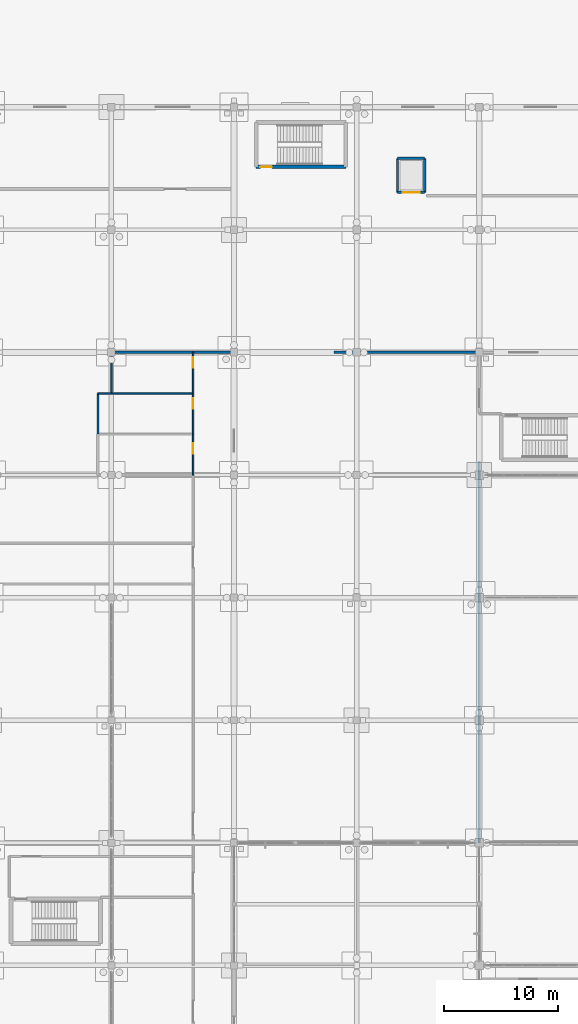
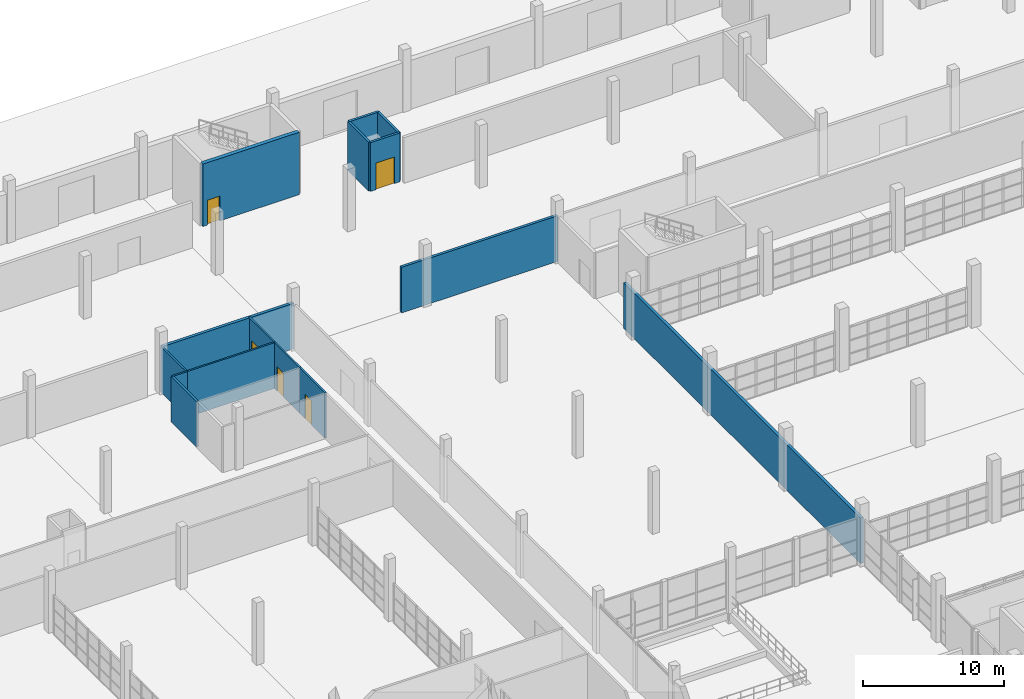
# One storey, part 104 of 138: 16 walls, 5 doors, 5 openings.
"""IFC4 building model written with IfcOpenShell, lengths in metres."""

from ifc_helpers import new_model, si_unit, direction, frame, frame_2d, origin, place, context, subcontext, project, spatial, rectangle, extrude, material, layer, layer_set, type_object, element, fill, save


model = new_model("IFC4")

# Units and contexts
model_context = context("Model", 3, precision=1e-05, world=origin(), true_north=direction((0.0, 1.0)))
body_context = subcontext(model_context, "Body", "Model", "MODEL_VIEW")
ifc_project = project(units=[si_unit("LENGTHUNIT", "METRE"), si_unit("AREAUNIT", "SQUARE_METRE"), si_unit("VOLUMEUNIT", "CUBIC_METRE"), si_unit("PLANEANGLEUNIT", "RADIAN"), si_unit("MASSUNIT", "GRAM", prefix="KILO")], contexts=[model_context])

# Site, building, storey
site_placement = place(None, origin())
site = spatial("IfcSite", under=ifc_project, at=site_placement, CompositionType="ELEMENT")
building_placement = place(site_placement, origin())
building = spatial("IfcBuilding", under=site, at=building_placement, Name="Zwinboog Wholesale Market", CompositionType="ELEMENT")
storey_placement = place(building_placement, origin())
storey = spatial("IfcBuildingStorey", under=building, at=storey_placement, Name="L00", CompositionType="ELEMENT", Elevation=0.0)

# Wall, opening, door
ifc_material_1 = material(Name="Concrete C40/50", Category="concrete")
ifc_layer_1 = layer(ifc_material_1, 0.320068359375)
ifc_layer_set_1 = layer_set([ifc_layer_1], Name="Concrete C40/50")
wall_type_1 = type_object("IfcWallType", Name="WT-SW-320", PredefinedType="SHEAR", material=ifc_layer_set_1)
wall_1_placement = place(storey_placement, frame((45.14990234375, 124.35009765625, 0.0), z_axis=(0.0, 0.0, 1.0), x_axis=(1.0, 0.0, 0.0)))
wall_1 = element("IfcWall", 1, at=wall_1_placement, inside=storey, type_object=wall_type_1, Name="SW-03 (WL-SW-L00-017)", PredefinedType="SHEAR", context=body_context, shape_type="SweptSolid", body=[
    extrude(rectangle(XDim=7.900146484375, YDim=0.320068359375, at=frame_2d((3.9501953125, 0.0))), origin(), (0.0, 0.0, 1.0), 5.39990234375),
])
opening_1_placement = place(wall_1_placement, frame((0.3798828125, 0.0, 0.0)))
opening_1 = element("IfcOpeningElement", 2, at=opening_1_placement, cuts=wall_1, Name="Opening FD-0005", PredefinedType="OPENING", context=body_context, shape_type="SweptSolid", body=[
    extrude(rectangle(XDim=1.0, YDim=2.14990234375, at=frame_2d((0.5, 1.074951171875))), frame((0.0, 0.169921875, 0.0), z_axis=(0.0, -1.0, 0.0), x_axis=(1.0, 0.0, 0.0)), (0.0, 0.0, 1.0), 0.340087890625),
])
ifc_material_2 = material(Name="Timber and powder-coated steel door leaf", Category="steel")
door_type_1 = type_object("IfcDoorType", Name="IDT-FD-01", OperationType="NOTDEFINED", PredefinedType="DOOR", material=ifc_material_2)
door_1_placement = place(opening_1_placement, origin())
door_1 = element("IfcDoor", 3, at=door_1_placement, inside=storey, type_object=door_type_1, Name="Core Fire Door FD-0005", OperationType="SINGLE_SWING_RIGHT", OverallHeight=2.14990234375, OverallWidth=1.0, PredefinedType="DOOR", context=body_context, shape_type="SweptSolid", body=[
    extrude(rectangle(XDim=1.0, YDim=2.14990234375, at=frame_2d((0.5, 1.074951171875))), frame((0.0, 0.02490234375, 0.0), z_axis=(0.0, -1.0, 0.0), x_axis=(1.0, 0.0, 0.0)), (0.0, 0.0, 1.0), 0.050048828125),
])
fill(opening_1, door_1)

# Wall
ifc_material_3 = material(Name="Precast concrete C45/55", Category="concrete")
ifc_layer_2 = layer(ifc_material_3, 0.179931640625)
ifc_layer_set_2 = layer_set([ifc_layer_2], Name="Precast concrete C45/55")
wall_type_2 = type_object("IfcWallType", Name="WT-IW-180", PredefinedType="PARTITIONING", material=ifc_layer_set_2)
wall_2_placement = place(storey_placement, frame((31.199951171875, 100.800048828125, 0.0), z_axis=(0.0, 0.0, 1.0), x_axis=(0.0, 1.0, 0.0)))
element("IfcWall", 4, at=wall_2_placement, inside=storey, type_object=wall_type_2, Name="IW-01 (WL-IN-L00-0052)", PredefinedType="PARTITIONING", context=body_context, shape_type="SweptSolid", body=[
    extrude(rectangle(XDim=3.599853515625, YDim=0.179931640625, at=frame_2d((1.7998046875, 0.0))), origin(), (0.0, 0.0, 1.0), 3.949951171875),
])

# Wall, opening, door
ifc_layer_3 = layer(ifc_material_3, 0.199951171875)
ifc_layer_set_3 = layer_set([ifc_layer_3], Name="Precast concrete C45/55")
wall_type_3 = type_object("IfcWallType", Name="WT-IW-200", PredefinedType="SOLIDWALL", material=ifc_layer_set_3)
wall_3_placement = place(storey_placement, frame((57.60009765625, 122.10009765625, 0.0), z_axis=(0.0, 0.0, 1.0), x_axis=(1.0, 0.0, 0.0)))
wall_3 = element("IfcWall", 5, at=wall_3_placement, inside=storey, type_object=wall_type_3, Name="IW-60 (WL-LSH-L00-229)", PredefinedType="SOLIDWALL", context=body_context, shape_type="SweptSolid", body=[
    extrude(rectangle(XDim=2.39990234375, YDim=0.199951171875, at=frame_2d((1.199951171875, 0.0))), origin(), (0.0, 0.0, 1.0), 4.219970703125),
])
opening_2_placement = place(wall_3_placement, frame((0.449951171875, 0.0, 0.0)))
opening_2 = element("IfcOpeningElement", 6, at=opening_2_placement, cuts=wall_3, Name="Opening LD-016", PredefinedType="OPENING", context=body_context, shape_type="SweptSolid", body=[
    extrude(rectangle(XDim=1.5, YDim=2.300048828125, at=frame_2d((0.75, 1.14990234375))), frame((0.0, 0.10986328125, 0.0), z_axis=(0.0, -1.0, 0.0), x_axis=(1.0, 0.0, 0.0)), (0.0, 0.0, 1.0), 0.219970703125),
])
door_type_2 = type_object("IfcDoorType", Name="IDT-LD-150", OperationType="DOUBLE_DOOR_SLIDING", PredefinedType="DOOR", material=ifc_material_2)
door_2_placement = place(opening_2_placement, origin())
door_2 = element("IfcDoor", 7, at=door_2_placement, inside=storey, type_object=door_type_2, Name="Lift Landing Door LD-016 (LG-01)", OperationType="DOUBLE_DOOR_SLIDING", OverallHeight=2.300048828125, OverallWidth=1.5, PredefinedType="DOOR", context=body_context, shape_type="SweptSolid", body=[
    extrude(rectangle(XDim=1.5, YDim=2.300048828125, at=frame_2d((0.75, 1.14990234375))), frame((0.0, 0.02490234375, 0.0), z_axis=(0.0, -1.0, 0.0), x_axis=(1.0, 0.0, 0.0)), (0.0, 0.0, 1.0), 0.050048828125),
])
fill(opening_2, door_2)

# Walls
wall_4_placement = place(storey_placement, frame((57.60009765625, 125.10009765625, 0.0), z_axis=(0.0, 0.0, 1.0), x_axis=(1.0, 0.0, 0.0)))
element("IfcWall", 8, at=wall_4_placement, inside=storey, type_object=wall_type_3, Name="IW-60 (WL-LSH-L00-230)", PredefinedType="SOLIDWALL", context=body_context, shape_type="SweptSolid", body=[
    extrude(rectangle(XDim=2.39990234375, YDim=0.199951171875, at=frame_2d((1.199951171875, 0.0))), origin(), (0.0, 0.0, 1.0), 4.219970703125),
])
for number, where, z_axis, x_axis, name in (
    (9, (57.60009765625, 122.10009765625, 0.0), (0.0, 0.0, 1.0), (0.0, 1.0, 0.0), "IW-60 (WL-LSH-L00-231)"),
    (10, (60.0, 122.10009765625, 0.0), (0.0, 0.0, 1.0), (0.0, 1.0, 0.0), "IW-60 (WL-LSH-L00-232)"),
):
    element("IfcWall", number, at=place(storey_placement, frame(where, z_axis=z_axis, x_axis=x_axis)), inside=storey, type_object=wall_type_3, Name=name, PredefinedType="SOLIDWALL", context=body_context, shape_type="SweptSolid", body=[
        extrude(rectangle(XDim=3.0, YDim=0.199951171875, at=frame_2d((1.5, 0.0))), origin(), (0.0, 0.0, 1.0), 4.219970703125),
    ])
ifc_layer_4 = layer(ifc_material_3, 0.215087890625)
ifc_layer_set_4 = layer_set([ifc_layer_4], Name="Precast concrete C45/55")
wall_type_4 = type_object("IfcWallType", Name="WT-IW-215", PredefinedType="PARTITIONING", material=ifc_layer_set_4)
wall_5_placement = place(storey_placement, frame((52.0, 108.0, 0.0), z_axis=(0.0, 0.0, 1.0), x_axis=(1.0, 0.0, 0.0)))
element("IfcWall", 11, at=wall_5_placement, inside=storey, type_object=wall_type_4, Name="IW-02 (WL-IN-L00-0068)", PredefinedType="PARTITIONING", context=body_context, shape_type="SweptSolid", body=[
    extrude(rectangle(XDim=12.800048828125, YDim=0.215087890625, at=frame_2d((6.39990234375, 0.0))), origin(), (0.0, 0.0, 1.0), 3.949951171875),
])
ifc_layer_5 = layer(ifc_material_3, 0.235107421875)
ifc_layer_set_5 = layer_set([ifc_layer_5], Name="Precast concrete C45/55")
wall_type_5 = type_object("IfcWallType", Name="WT-IW-235", PredefinedType="PARTITIONING", material=ifc_layer_set_5)
wall_6_placement = place(storey_placement, frame((39.60009765625, 108.0, 0.0), z_axis=(0.0, 0.0, 1.0), x_axis=(1.0, 0.0, 0.0)))
element("IfcWall", 12, at=wall_6_placement, inside=storey, type_object=wall_type_5, Name="IW-03 (WL-IN-L00-0018)", PredefinedType="PARTITIONING", context=body_context, shape_type="SweptSolid", body=[
    extrude(rectangle(XDim=3.599853515625, YDim=0.235107421875, at=frame_2d((1.7998046875, 0.0))), origin(), (0.0, 0.0, 1.0), 3.949951171875),
])
wall_7_placement = place(storey_placement, frame((32.39990234375, 108.0, 0.0), z_axis=(0.0, 0.0, 1.0), x_axis=(1.0, 0.0, 0.0)))
element("IfcWall", 13, at=wall_7_placement, inside=storey, type_object=wall_type_5, Name="IW-03 (WL-IN-L00-0057)", PredefinedType="PARTITIONING", context=body_context, shape_type="SweptSolid", body=[
    extrude(rectangle(XDim=7.2001953125, YDim=0.235107421875, at=frame_2d((3.60009765625, 0.0))), origin(), (0.0, 0.0, 1.0), 3.949951171875),
])
wall_8_placement = place(storey_placement, frame((64.800048828125, 64.800048828125, 0.0), z_axis=(0.0, 0.0, 1.0), x_axis=(0.0, 1.0, 0.0)))
element("IfcWall", 14, at=wall_8_placement, inside=storey, type_object=wall_type_5, Name="IW-03 (WL-IN-L00-0072)", PredefinedType="PARTITIONING", context=body_context, shape_type="SweptSolid", body=[
    extrude(rectangle(XDim=33.599853515625, YDim=0.235107421875, at=frame_2d((16.7998046875, 0.0))), origin(), (0.0, 0.0, 1.0), 3.947998046875),
])

# Wall, opening, door
ifc_material_4 = material(Name="Hygienic washable stud partition")
ifc_layer_6 = layer(ifc_material_4, 0.137939453125)
ifc_layer_set_6 = layer_set([ifc_layer_6], Name="Hygienic washable stud partition")
wall_type_6 = type_object("IfcWallType", Name="WT-PT-138", PredefinedType="PARTITIONING", material=ifc_layer_set_6)
wall_9_placement = place(storey_placement, frame((39.60009765625, 97.199951171875, 0.0), z_axis=(0.0, 0.0, 1.0), x_axis=(0.0, 1.0, 0.0)))
wall_9 = element("IfcWall", 15, at=wall_9_placement, inside=storey, type_object=wall_type_6, Name="PW-03 (WL-IN-L00-0008)", PredefinedType="PARTITIONING", context=body_context, shape_type="SweptSolid", body=[
    extrude(rectangle(XDim=3.60009765625, YDim=0.137939453125, at=frame_2d((1.800048828125, 0.0))), origin(), (0.0, 0.0, 1.0), 3.949951171875),
])
opening_3_placement = place(wall_9_placement, frame((1.8798828125, 0.0, 0.0)))
opening_3 = element("IfcOpeningElement", 16, at=opening_3_placement, cuts=wall_9, Name="Opening D-0008", PredefinedType="OPENING", context=body_context, shape_type="SweptSolid", body=[
    extrude(rectangle(XDim=0.919921875, YDim=2.139892578125, at=frame_2d((0.4599609375, 1.06982421875))), frame((0.0, 0.078857421875, 0.0), z_axis=(0.0, -1.0, 0.0), x_axis=(1.0, 0.0, 0.0)), (0.0, 0.0, 1.0), 0.157958984375),
])
door_type_3 = type_object("IfcDoorType", Name="IDT-WC-02", OperationType="NOTDEFINED", PredefinedType="DOOR", material=ifc_material_2)
door_3_placement = place(opening_3_placement, origin())
door_3 = element("IfcDoor", 17, at=door_3_placement, inside=storey, type_object=door_type_3, Name="Interior Door D-0008", OperationType="SINGLE_SWING_LEFT", OverallHeight=2.139892578125, OverallWidth=0.919921875, PredefinedType="DOOR", context=body_context, shape_type="SweptSolid", body=[
    extrude(rectangle(XDim=0.919921875, YDim=2.139892578125, at=frame_2d((0.4599609375, 1.06982421875))), frame((0.0, 0.02490234375, 0.0), z_axis=(0.0, -1.0, 0.0), x_axis=(1.0, 0.0, 0.0)), (0.0, 0.0, 1.0), 0.050048828125),
])
fill(opening_3, door_3)

wall_10_placement = place(storey_placement, frame((39.60009765625, 100.800048828125, 0.0), z_axis=(0.0, 0.0, 1.0), x_axis=(0.0, 1.0, 0.0)))
wall_10 = element("IfcWall", 18, at=wall_10_placement, inside=storey, type_object=wall_type_6, Name="PW-03 (WL-IN-L00-0009)", PredefinedType="PARTITIONING", context=body_context, shape_type="SweptSolid", body=[
    extrude(rectangle(XDim=3.599853515625, YDim=0.137939453125, at=frame_2d((1.7998046875, 0.0))), origin(), (0.0, 0.0, 1.0), 3.949951171875),
])
opening_4_placement = place(wall_10_placement, frame((2.25, 0.0, 0.0)))
opening_4 = element("IfcOpeningElement", 19, at=opening_4_placement, cuts=wall_10, Name="Opening D-0009", PredefinedType="OPENING", context=body_context, shape_type="SweptSolid", body=[
    extrude(rectangle(XDim=0.89990234375, YDim=2.10009765625, at=frame_2d((0.449951171875, 1.050048828125))), frame((0.0, 0.078857421875, 0.0), z_axis=(0.0, -1.0, 0.0), x_axis=(1.0, 0.0, 0.0)), (0.0, 0.0, 1.0), 0.157958984375),
])
door_type_4 = type_object("IfcDoorType", Name="IDT-WC-01", OperationType="NOTDEFINED", PredefinedType="DOOR", material=ifc_material_2)
door_4_placement = place(opening_4_placement, frame((0.89990234375, 0.0, 0.0), z_axis=(0.0, 0.0, 1.0), x_axis=(-1.0, 0.0, 0.0)))
door_4 = element("IfcDoor", 20, at=door_4_placement, inside=storey, type_object=door_type_4, Name="Interior Door D-0009", OperationType="SINGLE_SWING_RIGHT", OverallHeight=2.10009765625, OverallWidth=0.89990234375, PredefinedType="DOOR", context=body_context, shape_type="SweptSolid", body=[
    extrude(rectangle(XDim=0.89990234375, YDim=2.10009765625, at=frame_2d((0.449951171875, 1.050048828125))), frame((0.0, 0.02490234375, 0.0), z_axis=(0.0, -1.0, 0.0), x_axis=(1.0, 0.0, 0.0)), (0.0, 0.0, 1.0), 0.050048828125),
])
fill(opening_4, door_4)

wall_11_placement = place(storey_placement, frame((39.60009765625, 104.39990234375, 0.0), z_axis=(0.0, 0.0, 1.0), x_axis=(0.0, 1.0, 0.0)))
wall_11 = element("IfcWall", 21, at=wall_11_placement, inside=storey, type_object=wall_type_6, Name="PW-03 (WL-IN-L00-0010)", PredefinedType="PARTITIONING", context=body_context, shape_type="SweptSolid", body=[
    extrude(rectangle(XDim=3.60009765625, YDim=0.137939453125, at=frame_2d((1.800048828125, 0.0))), origin(), (0.0, 0.0, 1.0), 3.949951171875),
])
opening_5_placement = place(wall_11_placement, frame((2.239990234375, 0.0, 0.0)))
opening_5 = element("IfcOpeningElement", 22, at=opening_5_placement, cuts=wall_11, Name="Opening D-0010", PredefinedType="OPENING", context=body_context, shape_type="SweptSolid", body=[
    extrude(rectangle(XDim=0.919921875, YDim=2.139892578125, at=frame_2d((0.4599609375, 1.06982421875))), frame((0.0, 0.078857421875, 0.0), z_axis=(0.0, -1.0, 0.0), x_axis=(1.0, 0.0, 0.0)), (0.0, 0.0, 1.0), 0.157958984375),
])
door_5_placement = place(opening_5_placement, origin())
door_5 = element("IfcDoor", 23, at=door_5_placement, inside=storey, type_object=door_type_3, Name="Interior Door D-0010", OperationType="SINGLE_SWING_LEFT", OverallHeight=2.139892578125, OverallWidth=0.919921875, PredefinedType="DOOR", context=body_context, shape_type="SweptSolid", body=[
    extrude(rectangle(XDim=0.919921875, YDim=2.139892578125, at=frame_2d((0.4599609375, 1.06982421875))), frame((0.0, 0.02490234375, 0.0), z_axis=(0.0, -1.0, 0.0), x_axis=(1.0, 0.0, 0.0)), (0.0, 0.0, 1.0), 0.050048828125),
])
fill(opening_5, door_5)

# Walls
wall_12_placement = place(storey_placement, frame((31.199951171875, 104.39990234375, 0.0), z_axis=(0.0, 0.0, 1.0), x_axis=(1.0, 0.0, 0.0)))
element("IfcWall", 24, at=wall_12_placement, inside=storey, type_object=wall_type_6, Name="PW-03 (WL-IN-L00-0054)", PredefinedType="PARTITIONING", context=body_context, shape_type="SweptSolid", body=[
    extrude(rectangle(XDim=1.199951171875, YDim=0.137939453125, at=frame_2d((0.60009765625, 0.0))), origin(), (0.0, 0.0, 1.0), 3.949951171875),
])
wall_13_placement = place(storey_placement, frame((32.39990234375, 104.39990234375, 0.0), z_axis=(0.0, 0.0, 1.0), x_axis=(1.0, 0.0, 0.0)))
element("IfcWall", 25, at=wall_13_placement, inside=storey, type_object=wall_type_6, Name="PW-03 (WL-IN-L00-0055)", PredefinedType="PARTITIONING", context=body_context, shape_type="SweptSolid", body=[
    extrude(rectangle(XDim=7.2001953125, YDim=0.137939453125, at=frame_2d((3.60009765625, 0.0))), origin(), (0.0, 0.0, 1.0), 3.949951171875),
])
wall_14_placement = place(storey_placement, frame((32.39990234375, 104.39990234375, 0.0), z_axis=(0.0, 0.0, 1.0), x_axis=(0.0, 1.0, 0.0)))
element("IfcWall", 26, at=wall_14_placement, inside=storey, type_object=wall_type_6, Name="PW-03 (WL-IN-L00-0056)", PredefinedType="PARTITIONING", context=body_context, shape_type="SweptSolid", body=[
    extrude(rectangle(XDim=3.60009765625, YDim=0.137939453125, at=frame_2d((1.800048828125, 0.0))), origin(), (0.0, 0.0, 1.0), 3.949951171875),
])

save(model, "model.ifc")
